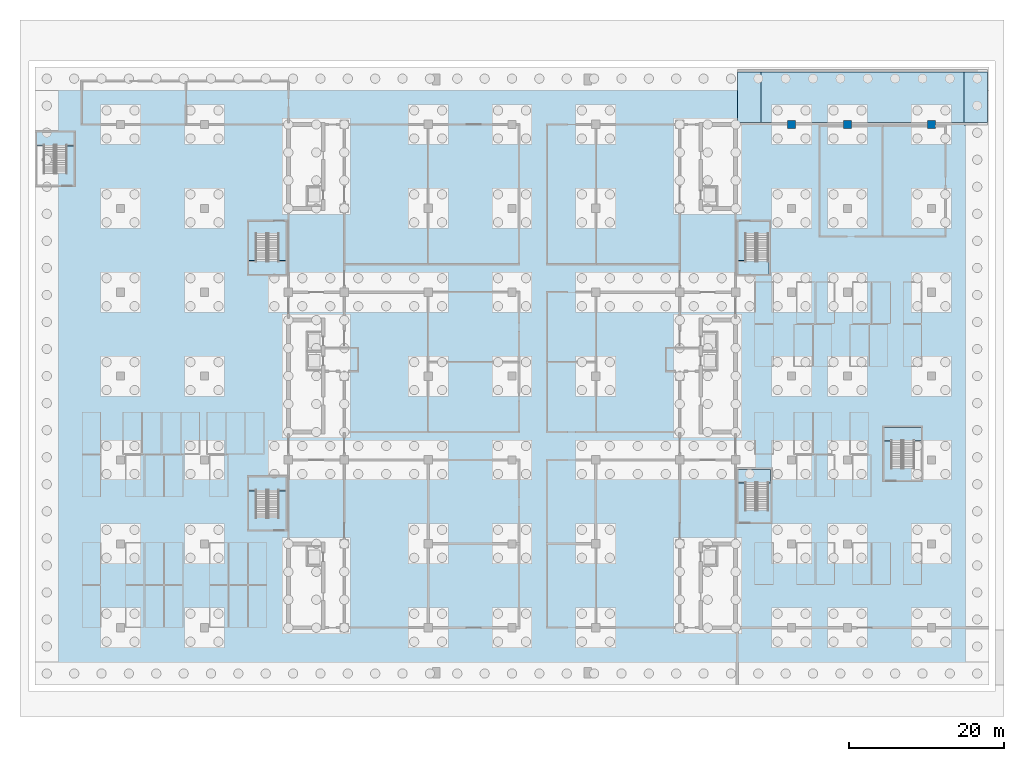
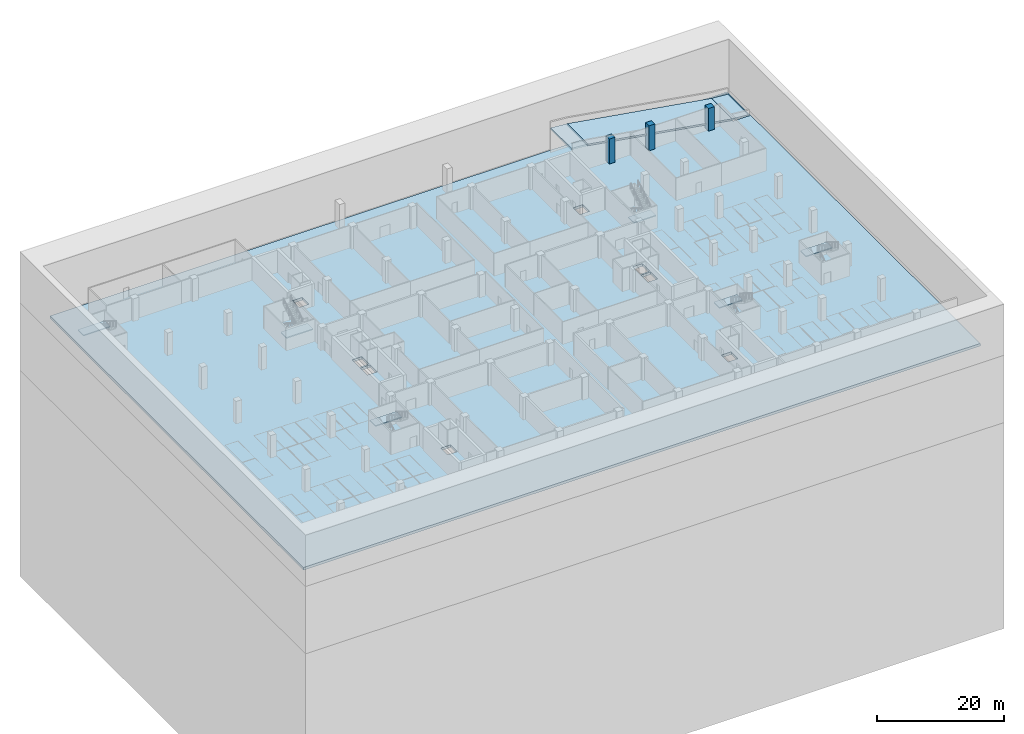
# One storey, part 4 of 18: 10 slabs, 3 columns, 6 elements without a shape of their own.
"""IFC4 building model written with IfcOpenShell, lengths in metres."""

from ifc_helpers import new_model, si_unit, direction, frame, origin, origin_2d, place, context, subcontext, project, spatial, polyline, rectangle, outline, extrude, material, layer, layer_set, material_profile, profile_set, type_object, element, aggregate, save


model = new_model("IFC4")

# Units and contexts
model_context = context("Model", 3, precision=1e-05, world=origin(), true_north=direction((0.0, 1.0)))
body_context = subcontext(model_context, "Body", "Model", "MODEL_VIEW")
ifc_project = project(units=[si_unit("LENGTHUNIT", "METRE"), si_unit("AREAUNIT", "SQUARE_METRE"), si_unit("VOLUMEUNIT", "CUBIC_METRE"), si_unit("PLANEANGLEUNIT", "RADIAN"), si_unit("MASSUNIT", "GRAM", prefix="KILO")], contexts=[model_context])

# Site, building, storey
site_placement = place(None, origin())
site = spatial("IfcSite", under=ifc_project, at=site_placement, CompositionType="ELEMENT")
building_placement = place(site_placement, origin())
building = spatial("IfcBuilding", under=site, at=building_placement, Name="Basin Gate Institute", CompositionType="ELEMENT")
storey_placement = place(building_placement, frame((0.0, 0.0, -9.60009765625)))
storey = spatial("IfcBuildingStorey", under=building, at=storey_placement, Name="B2", CompositionType="ELEMENT", Elevation=-9.60009765625)

# Columns
ifc_material_1 = material(Name="Concrete 60 MPa", Category="concrete")
ifc_material_profile = material_profile(ifc_material_1, rectangle(XDim=1.050048828125, YDim=1.050048828125, at=origin_2d()), Name="Column C5 1050 x 1050")
ifc_profile_set = profile_set([ifc_material_profile], Name="Concrete 60 MPa")
column_type = type_object("IfcColumnType", Name="Column C5 R180", PredefinedType="COLUMN", material=ifc_profile_set)
for number, where, z_axis, x_axis, name in (
    (1, (126.0, 99.89990234375, 0.0), (0.0, 0.0, 1.0), (1.0, 0.0, 0.0), "COL/B2/10G"),
    (2, (133.199951171875, 99.89990234375, 0.0), (0.0, 0.0, 1.0), (1.0, 0.0, 0.0), "COL/B2/11G"),
):
    element("IfcColumn", number, at=place(storey_placement, frame(where, z_axis=z_axis, x_axis=x_axis)), inside=storey, type_object=column_type, material=ifc_profile_set, Name=name, PredefinedType="COLUMN", context=body_context, shape_type="SweptSolid", body=[
        extrude(rectangle(XDim=1.050048828125, YDim=1.050048828125, at=origin_2d()), origin(), (0.0, 0.0, 1.0), 4.800048828125),
    ])
column_placement = place(storey_placement, frame((144.0, 99.89990234375, 0.0), z_axis=(0.0, 0.0, 1.0), x_axis=(1.0, 0.0, 0.0)))
element("IfcColumn", 3, at=column_placement, inside=storey, type_object=column_type, material=ifc_profile_set, Name="COL/B2/E1G", PredefinedType="COLUMN", context=body_context, shape_type="SweptSolid", body=[
    extrude(rectangle(XDim=1.050048828125, YDim=1.050048828125, at=origin_2d()), origin(), (0.0, 0.0, 1.0), 4.35009765625),
])

# Slab
ifc_material_2 = material(Name="Concrete 40 MPa", Category="concrete")
ifc_layer_1 = layer(ifc_material_2, 0.5)
ifc_layer_set_1 = layer_set([ifc_layer_1], Name="Concrete 40 MPa")
slab_type_1 = type_object("IfcSlabType", Name="Slab SL1 R180", PredefinedType="BASESLAB", material=ifc_layer_set_1)
slab_1_placement = place(storey_placement, frame((0.0, 0.0, -0.5)))
element("IfcSlab", 4, at=slab_1_placement, inside=storey, type_object=slab_type_1, material=ifc_layer_set_1, Name="SLAB/B2/BASE", PredefinedType="BASESLAB", context=body_context, shape_type="SweptSolid", body=[
    extrude(outline(polyline([(28.60009765625, 27.699951171875), (151.39990234375, 27.699951171875), (151.39990234375, 107.300048828125), (28.60009765625, 107.300048828125), (28.60009765625, 27.699951171875)]), holes=[polyline([(148.199951171875, 99.85009765625), (151.199951171875, 99.85009765625), (151.199951171875, 106.949951171875), (148.199951171875, 106.949951171875), (148.199951171875, 99.85009765625)]), polyline([(63.64990234375, 43.14990234375), (65.449951171875, 43.14990234375), (65.449951171875, 45.25), (63.64990234375, 45.25), (63.64990234375, 43.14990234375)]), polyline([(63.64990234375, 68.35009765625), (65.449951171875, 68.35009765625), (65.449951171875, 70.550048828125), (63.64990234375, 70.550048828125), (63.64990234375, 68.35009765625)]), polyline([(63.64990234375, 70.85009765625), (65.449951171875, 70.85009765625), (65.449951171875, 73.14990234375), (63.64990234375, 73.14990234375), (63.64990234375, 70.85009765625)]), polyline([(63.64990234375, 89.75), (65.449951171875, 89.75), (65.449951171875, 91.85009765625), (63.64990234375, 91.85009765625), (63.64990234375, 89.75)]), polyline([(116.35009765625, 45.25), (114.550048828125, 45.25), (114.550048828125, 43.14990234375), (116.35009765625, 43.14990234375), (116.35009765625, 45.25)]), polyline([(116.35009765625, 70.550048828125), (114.550048828125, 70.550048828125), (114.550048828125, 68.35009765625), (116.35009765625, 68.35009765625), (116.35009765625, 70.550048828125)]), polyline([(116.35009765625, 73.14990234375), (114.550048828125, 73.14990234375), (114.550048828125, 70.85009765625), (116.35009765625, 70.85009765625), (116.35009765625, 73.14990234375)]), polyline([(116.35009765625, 91.85009765625), (114.550048828125, 91.85009765625), (114.550048828125, 89.75), (116.35009765625, 89.75), (116.35009765625, 91.85009765625)])]), origin(), (0.0, 0.0, 1.0), 0.5),
])

# Stair, slab
ifc_material_3 = material(Name="Concrete 40 MPa", Category="concrete")
stair_type = type_object("IfcStairType", Name="Stair ST", PredefinedType="HALF_TURN_STAIR", material=ifc_material_3)
stair_1_placement = place(storey_placement, origin())
stair_1 = element("IfcStair", 5, at=stair_1_placement, inside=storey, type_object=stair_type, material=ifc_material_3, Name="Basement stair ST-BS1 B2", PredefinedType="HALF_TURN_STAIR")
ifc_material_4 = material(Name="Concrete 40 MPa", Category="concrete")
ifc_layer_2 = layer(ifc_material_4, 0.199951171875)
ifc_layer_set_2 = layer_set([ifc_layer_2], Name="Concrete 40 MPa")
slab_type_2 = type_object("IfcSlabType", Name="Stair landing LN REI 180", PredefinedType="LANDING", material=ifc_layer_set_2)
slab_2_placement = place(storey_placement, frame((0.0, 0.0, 2.2001953125)))
slab_2 = element("IfcSlab", 6, at=slab_2_placement, type_object=slab_type_2, material=ifc_layer_set_2, Name="Stair landing ST-BS1-L1 B2", PredefinedType="LANDING", context=body_context, shape_type="SweptSolid", body=[
    extrude(outline(polyline([(56.10009765625, 52.719970703125), (60.89990234375, 52.719970703125), (60.89990234375, 54.5), (56.10009765625, 54.5), (56.10009765625, 52.719970703125)])), origin(), (0.0, 0.0, 1.0), 0.199951171875),
])
aggregate(stair_1, [slab_2])

stair_2_placement = place(storey_placement, origin())
stair_2 = element("IfcStair", 7, at=stair_2_placement, inside=storey, type_object=stair_type, material=ifc_material_3, Name="Basement stair ST-BS2 B2", PredefinedType="HALF_TURN_STAIR")
slab_3_placement = place(storey_placement, frame((0.0, 0.0, 2.2001953125)))
slab_3 = element("IfcSlab", 8, at=slab_3_placement, type_object=slab_type_2, material=ifc_layer_set_2, Name="Stair landing ST-BS2-L1 B2", PredefinedType="LANDING", context=body_context, shape_type="SweptSolid", body=[
    extrude(outline(polyline([(56.10009765625, 80.60009765625), (60.89990234375, 80.60009765625), (60.89990234375, 82.3798828125), (56.10009765625, 82.3798828125), (56.10009765625, 80.60009765625)])), origin(), (0.0, 0.0, 1.0), 0.199951171875),
])
aggregate(stair_2, [slab_3])

stair_3_placement = place(storey_placement, origin())
stair_3 = element("IfcStair", 9, at=stair_3_placement, inside=storey, type_object=stair_type, material=ifc_material_3, Name="Basement stair ST-BS3 B2", PredefinedType="HALF_TURN_STAIR")
slab_4_placement = place(storey_placement, frame((0.0, 0.0, 2.2001953125)))
slab_4 = element("IfcSlab", 10, at=slab_4_placement, type_object=slab_type_2, material=ifc_layer_set_2, Name="Stair landing ST-BS3-L1 B2", PredefinedType="LANDING", context=body_context, shape_type="SweptSolid", body=[
    extrude(outline(polyline([(119.10009765625, 53.719970703125), (123.300048828125, 53.719970703125), (123.300048828125, 55.5), (119.10009765625, 55.5), (119.10009765625, 53.719970703125)])), origin(), (0.0, 0.0, 1.0), 0.199951171875),
])
aggregate(stair_3, [slab_4])

stair_4_placement = place(storey_placement, origin())
stair_4 = element("IfcStair", 11, at=stair_4_placement, inside=storey, type_object=stair_type, material=ifc_material_3, Name="Basement stair ST-BS4 B2", PredefinedType="HALF_TURN_STAIR")
slab_5_placement = place(storey_placement, frame((0.0, 0.0, 2.2001953125)))
slab_5 = element("IfcSlab", 12, at=slab_5_placement, type_object=slab_type_2, material=ifc_layer_set_2, Name="Stair landing ST-BS4-L1 B2", PredefinedType="LANDING", context=body_context, shape_type="SweptSolid", body=[
    extrude(outline(polyline([(119.10009765625, 80.60009765625), (123.10009765625, 80.60009765625), (123.10009765625, 82.3798828125), (119.10009765625, 82.3798828125), (119.10009765625, 80.60009765625)])), origin(), (0.0, 0.0, 1.0), 0.199951171875),
])
aggregate(stair_4, [slab_5])

stair_5_placement = place(storey_placement, origin())
stair_5 = element("IfcStair", 13, at=stair_5_placement, inside=storey, type_object=stair_type, material=ifc_material_3, Name="Basement stair ST-BS5 B2", PredefinedType="HALF_TURN_STAIR")
slab_6_placement = place(storey_placement, frame((0.0, 0.0, 2.2001953125)))
slab_6 = element("IfcSlab", 14, at=slab_6_placement, type_object=slab_type_2, material=ifc_layer_set_2, Name="Stair landing ST-BS5-L1 B2", PredefinedType="LANDING", context=body_context, shape_type="SweptSolid", body=[
    extrude(outline(polyline([(28.800048828125, 97.1201171875), (33.60009765625, 97.1201171875), (33.60009765625, 98.89990234375), (28.800048828125, 98.89990234375), (28.800048828125, 97.1201171875)])), origin(), (0.0, 0.0, 1.0), 0.199951171875),
])
aggregate(stair_5, [slab_6])

stair_6_placement = place(storey_placement, origin())
stair_6 = element("IfcStair", 15, at=stair_6_placement, inside=storey, type_object=stair_type, material=ifc_material_3, Name="Basement stair ST-BS6 B2", PredefinedType="HALF_TURN_STAIR")
slab_7_placement = place(storey_placement, frame((0.0, 0.0, 2.2001953125)))
slab_7 = element("IfcSlab", 16, at=slab_7_placement, type_object=slab_type_2, material=ifc_layer_set_2, Name="Stair landing ST-BS6-L1 B2", PredefinedType="LANDING", context=body_context, shape_type="SweptSolid", body=[
    extrude(outline(polyline([(137.89990234375, 59.1201171875), (142.699951171875, 59.1201171875), (142.699951171875, 60.89990234375), (137.89990234375, 60.89990234375), (137.89990234375, 59.1201171875)])), origin(), (0.0, 0.0, 1.0), 0.199951171875),
])
aggregate(stair_6, [slab_7])

# Slabs
ifc_material_5 = material(Name="Concrete 40 MPa", Category="concrete")
ifc_layer_3 = layer(ifc_material_5, 0.300048828125)
ifc_layer_set_3 = layer_set([ifc_layer_3], Name="Concrete 40 MPa")
slab_type_3 = type_object("IfcSlabType", Name="Vehicle ramp slab RS1", PredefinedType="FLOOR", material=ifc_layer_set_3)
slab_8_placement = place(storey_placement, frame((119.050048828125, 100.14990234375, 4.800048828125), z_axis=(0.083045479854, 0.0, 0.996545758245), x_axis=(0.996545758245, 0.0, -0.083045479854)))
element("IfcSlab", 17, at=slab_8_placement, inside=storey, type_object=slab_type_3, material=ifc_layer_set_3, Name="Vehicle ramp slab R2-F1", PredefinedType="FLOOR", context=body_context, shape_type="SweptSolid", body=[
    extrude(outline(polyline([(0.0, 0.0), (3.010398644698074, 0.0), (3.010398644698074, 6.5), (0.0, 6.5), (0.0, 0.0)])), origin(), (0.0, 0.0, -1.0), 0.300048828125),
])
slab_9_placement = place(storey_placement, frame((122.050048828125, 100.14990234375, 4.550048828125), z_axis=(0.162259314678, 0.0, 0.986748151658), x_axis=(0.986748151658, 0.0, -0.162259314678)))
element("IfcSlab", 18, at=slab_9_placement, inside=storey, type_object=slab_type_3, material=ifc_layer_set_3, Name="Vehicle ramp slab R2-F2", PredefinedType="FLOOR", context=body_context, shape_type="SweptSolid", body=[
    extrude(outline(polyline([(0.0, 0.0), (26.501090779662654, 0.0), (26.501090779662654, 6.5), (0.0, 6.5), (0.0, 0.0)])), origin(), (0.0, 0.0, -1.0), 0.300048828125),
])
slab_10_placement = place(storey_placement, frame((148.199951171875, 100.14990234375, 0.25), z_axis=(0.083045479854, 0.0, 0.996545758245), x_axis=(0.996545758245, 0.0, -0.083045479854)))
element("IfcSlab", 19, at=slab_10_placement, inside=storey, type_object=slab_type_3, material=ifc_layer_set_3, Name="Vehicle ramp slab R2-F3", PredefinedType="FLOOR", context=body_context, shape_type="SweptSolid", body=[
    extrude(outline(polyline([(0.0, 0.0), (3.010398644698074, 0.0), (3.010398644698074, 6.5), (0.0, 6.5), (0.0, 0.0)])), origin(), (0.0, 0.0, -1.0), 0.300048828125),
])

save(model, "model.ifc")
